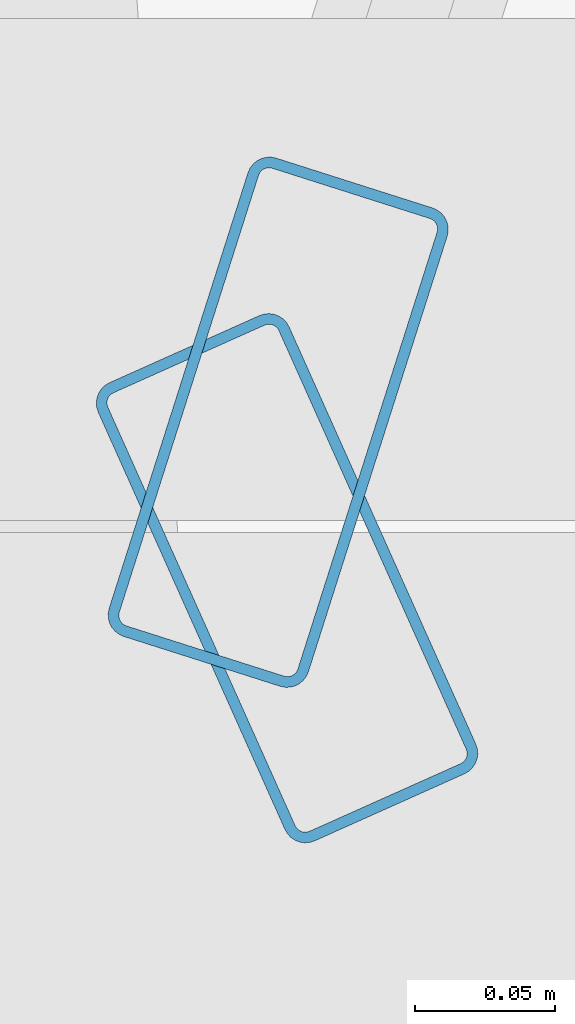
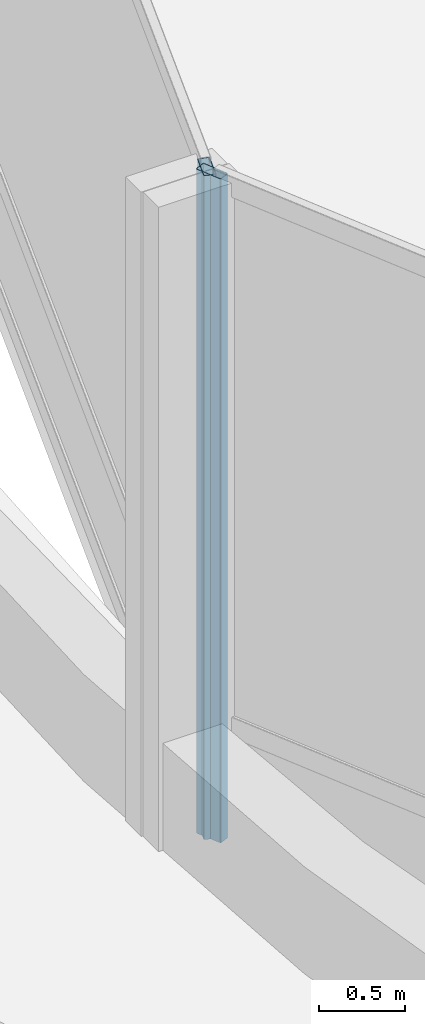
# One storey, part 6 of 23: 2 members, 2 elements without a shape of their own.
"""IFC4 building model written with IfcOpenShell, lengths in metres."""

from ifc_helpers import new_model, si_unit, direction, frame, origin, origin_2d, place, context, subcontext, project, spatial, hollow_rectangle, extrude, material, layer, layer_set, material_profile, profile_set, type_object, element, aggregate, save


model = new_model("IFC4")

# Units and contexts
model_context = context("Model", 3, precision=1e-05, world=origin(), true_north=direction((0.0, 1.0)))
body_context = subcontext(model_context, "Body", "Model", "MODEL_VIEW")
ifc_project = project(units=[si_unit("LENGTHUNIT", "METRE"), si_unit("AREAUNIT", "SQUARE_METRE"), si_unit("VOLUMEUNIT", "CUBIC_METRE"), si_unit("PLANEANGLEUNIT", "RADIAN"), si_unit("MASSUNIT", "GRAM", prefix="KILO")], contexts=[model_context])

# Site, building, storey
site_placement = place(None, origin())
site = spatial("IfcSite", under=ifc_project, at=site_placement, CompositionType="ELEMENT")
building_placement = place(site_placement, origin())
building = spatial("IfcBuilding", under=site, at=building_placement, Name="Solvaryn Broadcast Tower", CompositionType="ELEMENT")
storey_placement = place(building_placement, frame((0.0, 0.0, 235.800048828125)))
storey = spatial("IfcBuildingStorey", under=building, at=storey_placement, Name="L59", CompositionType="ELEMENT", Elevation=235.800048828125)

# Curtain wall, member
ifc_material_1 = material(Name="Aluminium and Terracotta Unitised Curtain Wall", Category="masonry")
ifc_layer = layer(ifc_material_1, 0.25)
ifc_layer_set = layer_set([ifc_layer], Name="CW-SYS4-SKYGARDEN")
curtain_wall_type = type_object("IfcCurtainWallType", Name="CW-SYS4-SKYGARDEN", PredefinedType="NOTDEFINED", material=ifc_layer_set)
curtain_wall_1_placement = place(storey_placement, origin())
curtain_wall_1 = element("IfcCurtainWall", 1, at=curtain_wall_1_placement, inside=storey, type_object=curtain_wall_type, Name="L59 Curtain Wall DR1", PredefinedType="NOTDEFINED")
ifc_material_2 = material(Name="Anodised Aluminium 6063-T6", Category="aluminium")
ifc_material_profile = material_profile(ifc_material_2, hollow_rectangle(XDim=0.074951171875, YDim=0.179931640625, WallThickness=0.00390625, InnerFilletRadius=0.00390625, OuterFilletRadius=0.008056640625, at=origin_2d()))
ifc_profile_set = profile_set([ifc_material_profile], Name="Anodised Aluminium 6063-T6")
member_type = type_object("IfcMemberType", Name="CW-MUL-180", PredefinedType="MULLION", material=ifc_profile_set)
member_1_placement = place(storey_placement, frame((3.7470703125, 26.66455078125, 0.0), z_axis=(0.0, 0.0, 1.0), x_axis=(0.952794594701, -0.30361564569, 0.0)))
member_1 = element("IfcMember", 2, at=member_1_placement, type_object=member_type, Name="CWS4 mullion 3", PredefinedType="MULLION", context=body_context, shape_type="SweptSolid", body=[
    extrude(hollow_rectangle(XDim=0.074951171875, YDim=0.179931640625, WallThickness=0.00390625, InnerFilletRadius=0.00390625, OuterFilletRadius=0.008056640625, at=origin_2d()), origin(), (0.0, 0.0, 1.0), 4.719970703125),
])
aggregate(curtain_wall_1, [member_1])

curtain_wall_2_placement = place(storey_placement, origin())
curtain_wall_2 = element("IfcCurtainWall", 3, at=curtain_wall_2_placement, inside=storey, type_object=curtain_wall_type, Name="L59 Curtain Wall DR2", PredefinedType="NOTDEFINED")
member_2_placement = place(storey_placement, frame((3.750244140625, 26.608642578125, 0.0), z_axis=(0.0, 0.0, 1.0), x_axis=(0.912773530574, 0.408466010682, 0.0)))
member_2 = element("IfcMember", 4, at=member_2_placement, type_object=member_type, Name="CWS4 mullion 1", PredefinedType="MULLION", context=body_context, shape_type="SweptSolid", body=[
    extrude(hollow_rectangle(XDim=0.074951171875, YDim=0.179931640625, WallThickness=0.00390625, InnerFilletRadius=0.00390625, OuterFilletRadius=0.008056640625, at=origin_2d()), origin(), (0.0, 0.0, 1.0), 4.719970703125),
])
aggregate(curtain_wall_2, [member_2])

save(model, "model.ifc")
